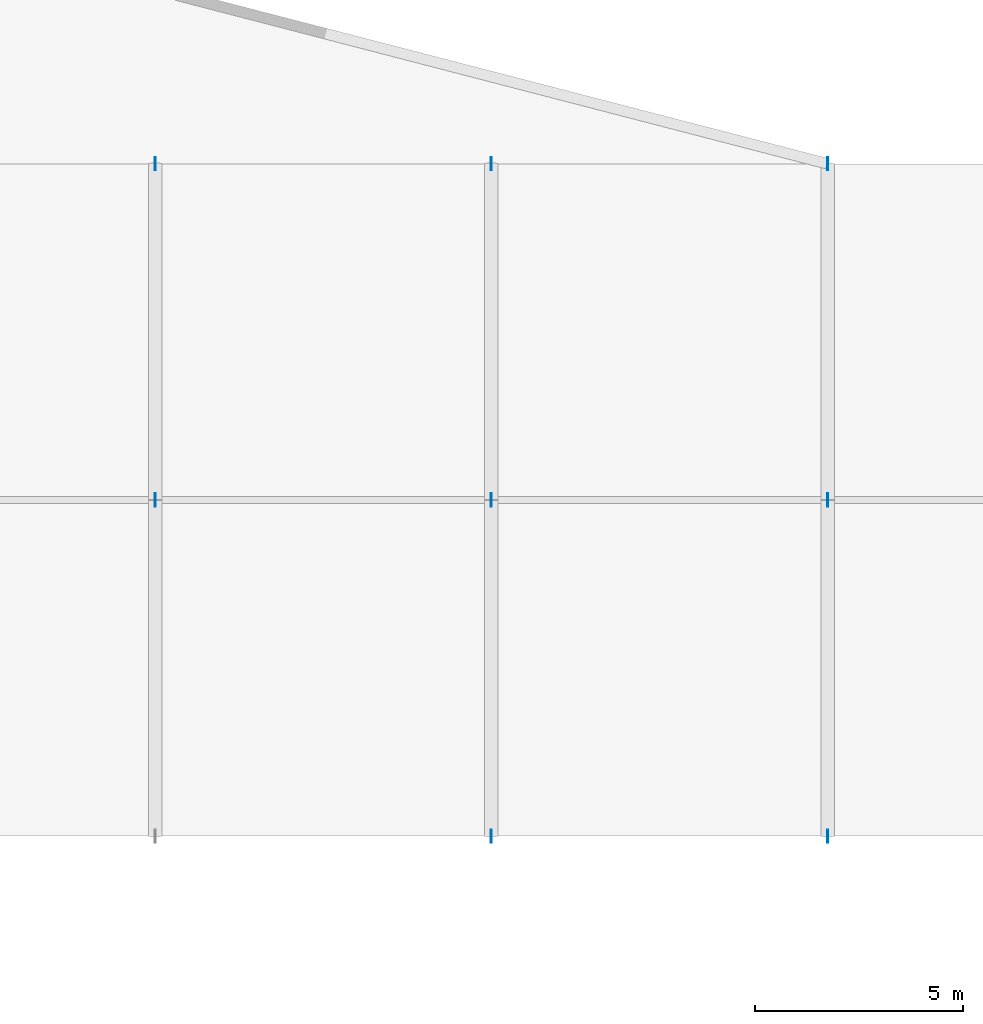
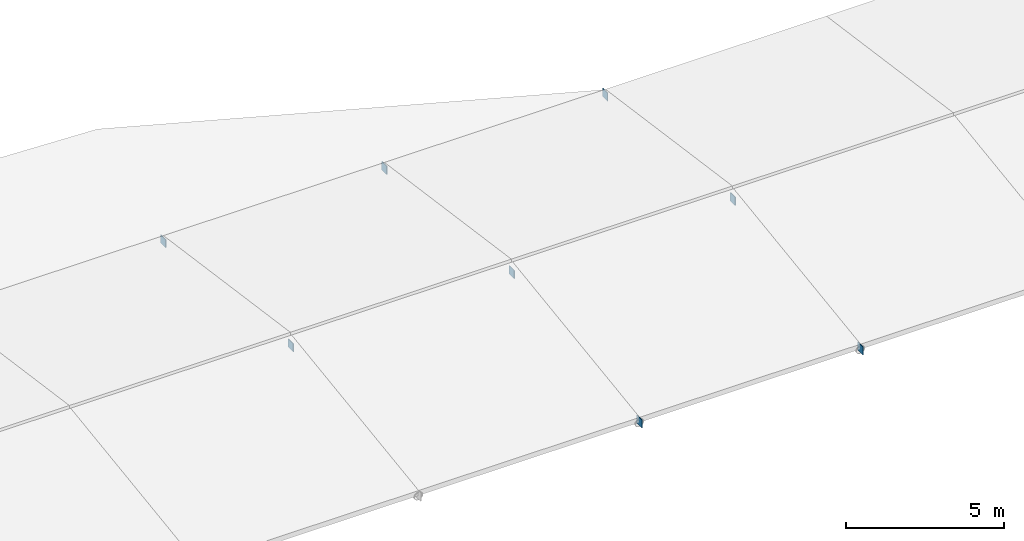
# One storey, part 59 of 70: 8 discrete accessories.
"""IFC4 building model written with IfcOpenShell, lengths in metres."""

from ifc_helpers import new_model, si_unit, direction, frame, origin, origin_2d, place, context, subcontext, project, spatial, rectangle, extrude, material, type_object, element, save


model = new_model("IFC4")

# Units and contexts
model_context = context("Model", 3, precision=1e-05, world=origin(), true_north=direction((0.0, 1.0)))
body_context = subcontext(model_context, "Body", "Model", "MODEL_VIEW")
ifc_project = project(units=[si_unit("LENGTHUNIT", "METRE"), si_unit("AREAUNIT", "SQUARE_METRE"), si_unit("VOLUMEUNIT", "CUBIC_METRE"), si_unit("PLANEANGLEUNIT", "RADIAN"), si_unit("MASSUNIT", "GRAM", prefix="KILO")], contexts=[model_context])

# Site, building, storey
site_placement = place(None, origin())
site = spatial("IfcSite", under=ifc_project, at=site_placement, CompositionType="ELEMENT")
building_placement = place(site_placement, origin())
building = spatial("IfcBuilding", under=site, at=building_placement, Name="Vaudrelin Polytechnic", CompositionType="ELEMENT")
storey_placement = place(building_placement, frame((0.0, 0.0, 14.110107421875)))
storey = spatial("IfcBuildingStorey", under=building, at=storey_placement, Name="L03", CompositionType="ELEMENT", Elevation=14.110107421875)

# Discrete accessories
ifc_material = material(Name="Steel CSA G40.21 350WT", Category="steel")
discrete_accessory_type = type_object("IfcDiscreteAccessoryType", Name="ACC-CPL-01", PredefinedType="BRACKET", material=ifc_material)
for number, where, z_axis, x_axis, name in (
    (1, (97.199951171875, 40.5, 0.7734375), (0.0, 0.0, 1.0), (1.0, 0.0, 0.0), "Brace end connection plate CPL-050"),
    (2, (97.199951171875, 48.60009765625, -0.10009765625), (0.0, 0.0, 1.0), (1.0, 0.0, 0.0), "Brace end connection plate CPL-052"),
    (3, (105.300048828125, 40.5, 0.7734375), (0.0, 0.0, 1.0), (1.0, 0.0, 0.0), "Brace end connection plate CPL-053"),
    (4, (105.300048828125, 32.39990234375, -0.10009765625), (0.0, 0.0, 1.0), (1.0, 0.0, 0.0), "Brace end connection plate CPL-054"),
    (5, (105.300048828125, 48.60009765625, -0.10009765625), (0.0, 0.0, 1.0), (1.0, 0.0, 0.0), "Brace end connection plate CPL-055"),
    (6, (113.39990234375, 40.5, 0.7734375), (0.0, 0.0, 1.0), (1.0, 0.0, 0.0), "Brace end connection plate CPL-056"),
    (7, (113.39990234375, 32.39990234375, -0.10009765625), (0.0, 0.0, 1.0), (1.0, 0.0, 0.0), "Brace end connection plate CPL-057"),
    (8, (113.39990234375, 48.60009765625, -0.10009765625), (0.0, 0.0, 1.0), (1.0, 0.0, 0.0), "Brace end connection plate CPL-058"),
):
    element("IfcDiscreteAccessory", number, at=place(storey_placement, frame(where, z_axis=z_axis, x_axis=x_axis)), inside=storey, type_object=discrete_accessory_type, Name=name, PredefinedType="BRACKET", context=body_context, shape_type="SweptSolid", body=[
        extrude(rectangle(XDim=0.02392578125, YDim=0.320068359375, at=origin_2d()), origin(), (0.0, 0.0, 1.0), 0.320068359375),
    ])

save(model, "model.ifc")
